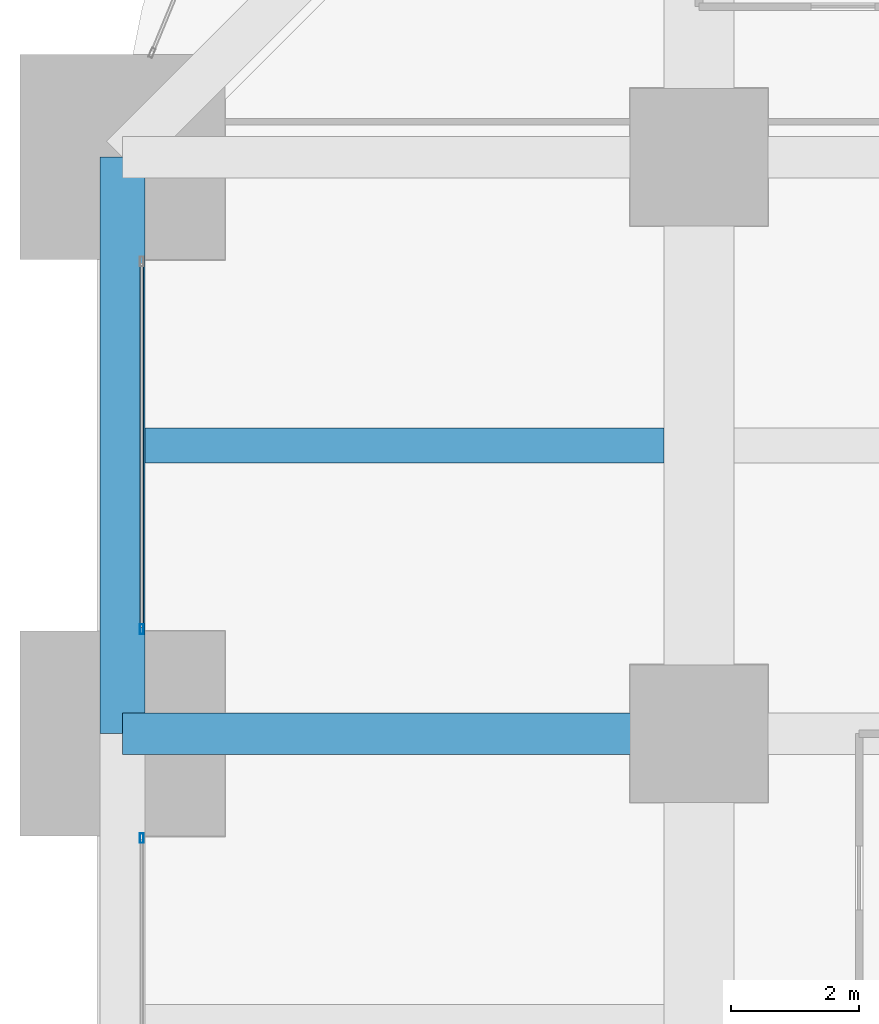
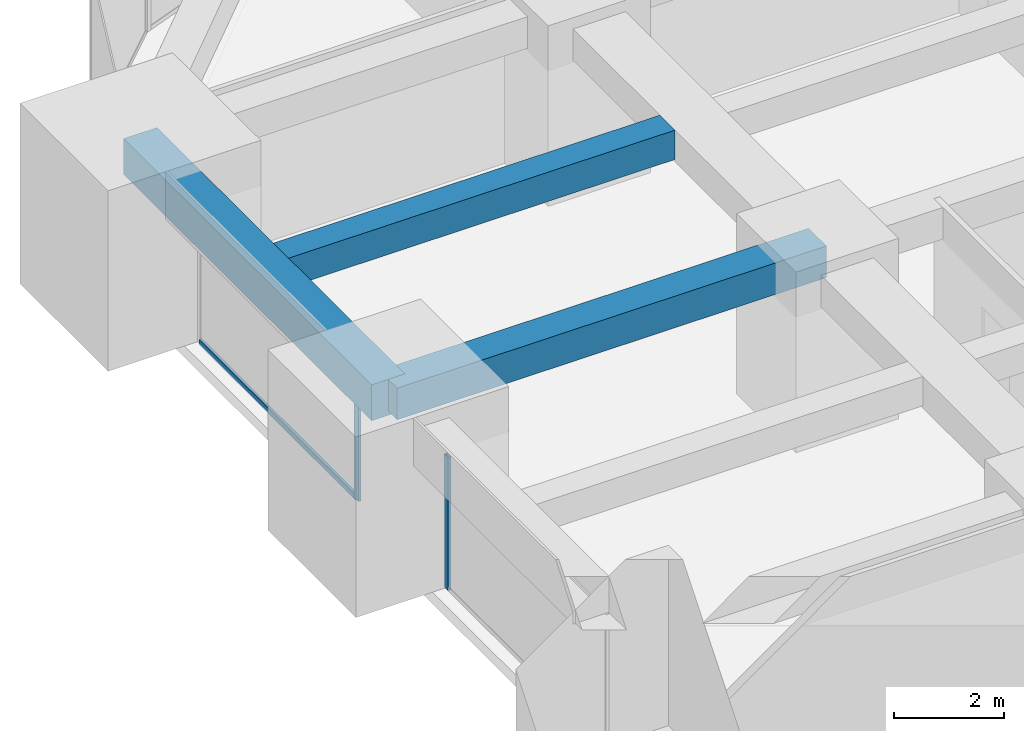
# One storey, part 11 of 41: 3 beams, 3 members, 2 elements without a shape of their own.
"""IFC4 building model written with IfcOpenShell, lengths in metres."""

from ifc_helpers import new_model, si_unit, direction, frame, origin, origin_2d, place, context, subcontext, project, spatial, rectangle, hollow_rectangle, extrude, material, material_profile, profile_set, type_object, element, aggregate, save


model = new_model("IFC4")

# Units and contexts
model_context = context("Model", 3, precision=1e-05, world=origin(), true_north=direction((0.0, 1.0)))
body_context = subcontext(model_context, "Body", "Model", "MODEL_VIEW")
ifc_project = project(units=[si_unit("LENGTHUNIT", "METRE"), si_unit("AREAUNIT", "SQUARE_METRE"), si_unit("VOLUMEUNIT", "CUBIC_METRE"), si_unit("PLANEANGLEUNIT", "RADIAN"), si_unit("MASSUNIT", "GRAM", prefix="KILO")], contexts=[model_context])

# Site, building, storey
site_placement = place(None, origin())
site = spatial("IfcSite", under=ifc_project, at=site_placement, CompositionType="ELEMENT")
building_placement = place(site_placement, origin())
building = spatial("IfcBuilding", under=site, at=building_placement, Name="Zorevar Civic Tower", CompositionType="ELEMENT")
storey_placement = place(building_placement, frame((0.0, 0.0, 89.0)))
storey = spatial("IfcBuildingStorey", under=building, at=storey_placement, Name="L21", CompositionType="ELEMENT", Elevation=89.0)

# Beams
ifc_material_1 = material(Name="Concrete C50/60", Category="concrete")
ifc_material_profile_1 = material_profile(ifc_material_1, rectangle(XDim=0.550048828125, YDim=0.64990234375, at=origin_2d()), Name="RC 550x650")
ifc_profile_set_1 = profile_set([ifc_material_profile_1], Name="Concrete C50/60")
beam_type_1 = type_object("IfcBeamType", Name="Beam RC 550x650", PredefinedType="BEAM", material=ifc_profile_set_1)
beam_1_placement = place(storey_placement, frame((0.35009765625, 31.5, 3.425048828125), z_axis=(1.0, 0.0, 0.0), x_axis=(0.0, 1.0, 0.0)))
element("IfcBeam", 1, at=beam_1_placement, inside=storey, type_object=beam_type_1, Name="Secondary beam L22", PredefinedType="BEAM", context=body_context, shape_type="SweptSolid", body=[
    extrude(rectangle(XDim=0.550048828125, YDim=0.64990234375, at=origin_2d()), origin(), (0.0, 0.0, 1.0), 8.099853515625),
])
ifc_material_2 = material(Name="Concrete C50/60", Category="concrete")
ifc_material_profile_2 = material_profile(ifc_material_2, rectangle(XDim=0.64990234375, YDim=0.699951171875, at=origin_2d()), Name="RC 650x700")
ifc_profile_set_2 = profile_set([ifc_material_profile_2], Name="Concrete C50/60")
beam_type_2 = type_object("IfcBeamType", Name="Beam RC 650x700", PredefinedType="BEAM", material=ifc_profile_set_2)
beam_2_placement = place(storey_placement, frame((0.0, 27.0, 3.39990234375), z_axis=(1.0, 0.0, 0.0), x_axis=(0.0, 1.0, 0.0)))
element("IfcBeam", 2, at=beam_2_placement, inside=storey, type_object=beam_type_2, Name="Girder L22", PredefinedType="BEAM", context=body_context, shape_type="SweptSolid", body=[
    extrude(rectangle(XDim=0.64990234375, YDim=0.699951171875, at=origin_2d()), origin(), (0.0, 0.0, 1.0), 9.0),
])

# Curtain wall, member
ifc_material_3 = material(Name="Dark grey solar-control glass in black aluminium frame", Category="aluminium")
curtain_wall_type = type_object("IfcCurtainWallType", Name="Curtain wall CW3 mid zone", PredefinedType="NOTDEFINED", material=ifc_material_3)
curtain_wall_1_placement = place(storey_placement, origin())
curtain_wall_1 = element("IfcCurtainWall", 3, at=curtain_wall_1_placement, inside=storey, type_object=curtain_wall_type, Name="CW3 L21", PredefinedType="NOTDEFINED")
ifc_material_4 = material(Name="Aluminium, black anodised", Category="aluminium")
ifc_material_profile_3 = material_profile(ifc_material_4, hollow_rectangle(XDim=0.06005859375, YDim=0.14990234375, WallThickness=0.00390625, at=origin_2d()), Name="AL 150x60x4")
ifc_profile_set_3 = profile_set([ifc_material_profile_3], Name="Aluminium, black anodised")
member_type_1 = type_object("IfcMemberType", Name="CW3 mullion AL 150x60x4", PredefinedType="MULLION", material=ifc_profile_set_3)
member_1_placement = place(storey_placement, frame((0.300048828125, 25.3701171875, 0.0), z_axis=(0.0, 0.0, 1.0), x_axis=(-1.0, 0.0, 0.0)))
member_1 = element("IfcMember", 4, at=member_1_placement, type_object=member_type_1, Name="CW3 mullion 2", PredefinedType="MULLION", context=body_context, shape_type="SweptSolid", body=[
    extrude(hollow_rectangle(XDim=0.06005859375, YDim=0.14990234375, WallThickness=0.00390625, at=origin_2d()), origin(), (0.0, 0.0, 1.0), 2.949951171875),
])
aggregate(curtain_wall_1, [member_1])

# Curtain wall, members
curtain_wall_2_placement = place(storey_placement, origin())
curtain_wall_2 = element("IfcCurtainWall", 5, at=curtain_wall_2_placement, inside=storey, type_object=curtain_wall_type, Name="CW3 L21", PredefinedType="NOTDEFINED")
member_2_placement = place(storey_placement, frame((0.300048828125, 28.6298828125, 0.0), z_axis=(0.0, 0.0, 1.0), x_axis=(-1.0, 0.0, 0.0)))
member_2 = element("IfcMember", 6, at=member_2_placement, type_object=member_type_1, Name="CW3 mullion 1", PredefinedType="MULLION", context=body_context, shape_type="SweptSolid", body=[
    extrude(hollow_rectangle(XDim=0.06005859375, YDim=0.14990234375, WallThickness=0.00390625, at=origin_2d()), origin(), (0.0, 0.0, 1.0), 2.949951171875),
])
ifc_material_5 = material(Name="Aluminium, black anodised", Category="aluminium")
ifc_material_profile_4 = material_profile(ifc_material_5, hollow_rectangle(XDim=0.06005859375, YDim=0.1201171875, WallThickness=0.0029296875, at=origin_2d()), Name="AL 120x60x3")
ifc_profile_set_4 = profile_set([ifc_material_profile_4], Name="Aluminium, black anodised")
member_type_2 = type_object("IfcMemberType", Name="CW3 transom AL 120x60x3", PredefinedType="USERDEFINED", material=ifc_profile_set_4)
member_3_placement = place(storey_placement, frame((0.300048828125, 28.659912109375, 0.030029296875), z_axis=(0.0, 1.0, 0.0), x_axis=(-1.0, 0.0, 0.0)))
member_3 = element("IfcMember", 7, at=member_3_placement, type_object=member_type_2, Name="CW3 sill transom", ObjectType="TRANSOM", PredefinedType="USERDEFINED", context=body_context, shape_type="SweptSolid", body=[
    extrude(hollow_rectangle(XDim=0.06005859375, YDim=0.1201171875, WallThickness=0.0029296875, at=origin_2d()), origin(), (0.0, 0.0, 1.0), 5.68017578125),
])
aggregate(curtain_wall_2, [member_2, member_3])

# Beam
ifc_material_6 = material(Name="Concrete C50/60", Category="concrete")
ifc_material_profile_5 = material_profile(ifc_material_6, rectangle(XDim=0.699951171875, YDim=0.800048828125, at=origin_2d()), Name="RC 700x800")
ifc_profile_set_5 = profile_set([ifc_material_profile_5], Name="Concrete C50/60")
beam_type_3 = type_object("IfcBeamType", Name="Edge beam RC 700x800", PredefinedType="SPANDREL", material=ifc_profile_set_5)
beam_3_placement = place(storey_placement, frame((0.0, 27.0, 3.35009765625), z_axis=(0.0, 1.0, 0.0), x_axis=(-1.0, 0.0, 0.0)))
element("IfcBeam", 8, at=beam_3_placement, inside=storey, type_object=beam_type_3, Name="Edge beam L22", PredefinedType="SPANDREL", context=body_context, shape_type="SweptSolid", body=[
    extrude(rectangle(XDim=0.699951171875, YDim=0.800048828125, at=origin_2d()), origin(), (0.0, 0.0, 1.0), 9.0),
])

save(model, "model.ifc")
